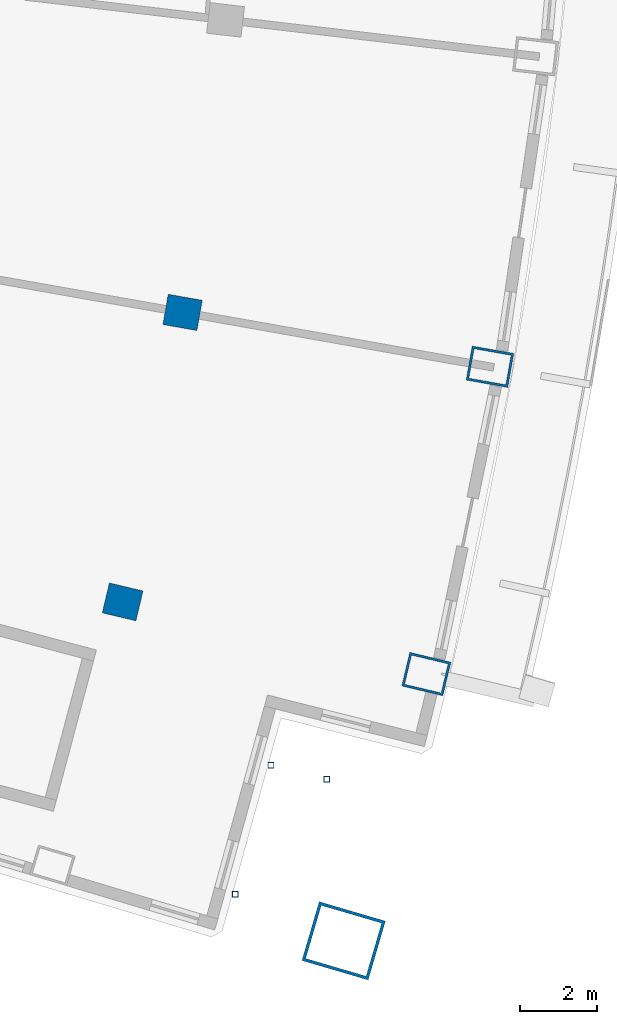
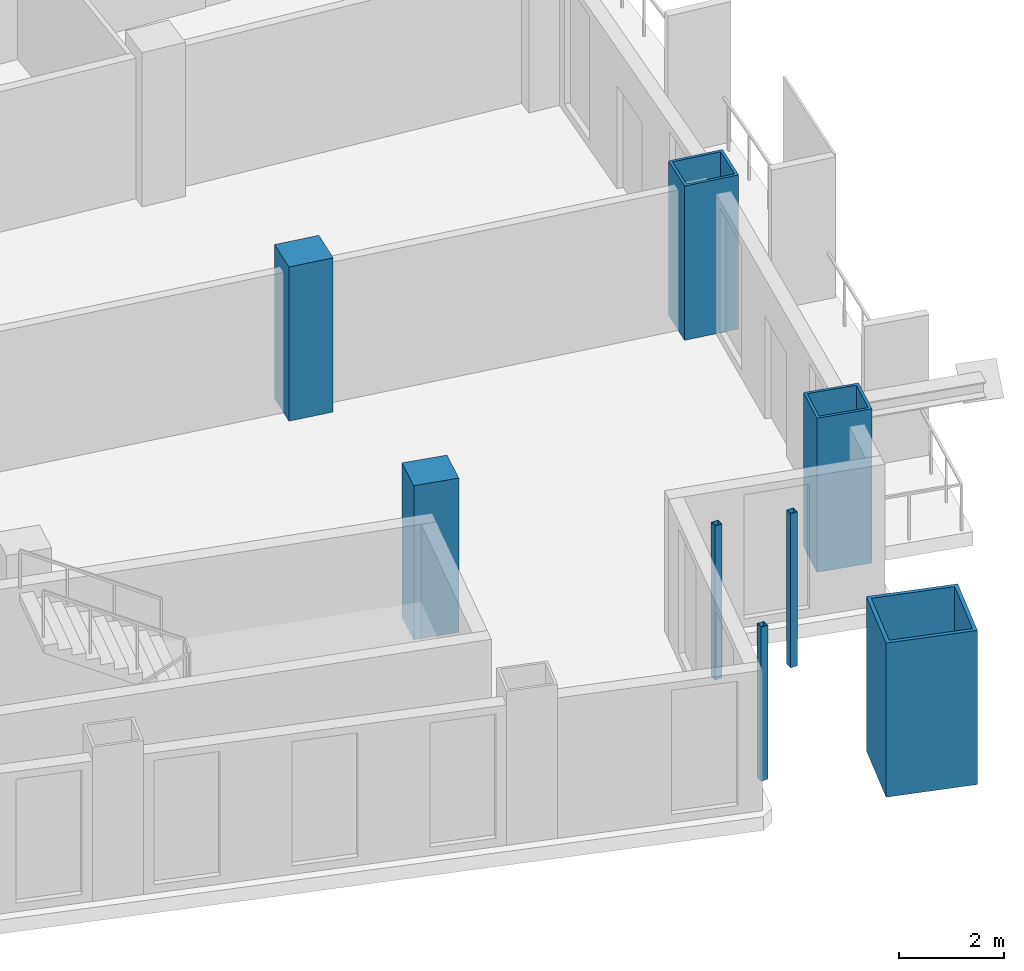
# One storey, part 3 of 21: 8 columns.
"""IFC4 building model written with IfcOpenShell, lengths in metres."""

from ifc_helpers import new_model, si_unit, direction, frame, origin, origin_2d, place, context, subcontext, project, spatial, rectangle, hollow_rectangle, extrude, material, material_profile, profile_set, type_object, element, save


model = new_model("IFC4")

# Units and contexts
model_context = context("Model", 3, precision=1e-05, world=origin(), true_north=direction((0.0, 1.0)))
body_context = subcontext(model_context, "Body", "Model", "MODEL_VIEW")
ifc_project = project(units=[si_unit("LENGTHUNIT", "METRE"), si_unit("AREAUNIT", "SQUARE_METRE"), si_unit("VOLUMEUNIT", "CUBIC_METRE"), si_unit("PLANEANGLEUNIT", "RADIAN"), si_unit("MASSUNIT", "GRAM", prefix="KILO")], contexts=[model_context])

# Site, building, storey
site_placement = place(None, origin())
site = spatial("IfcSite", under=ifc_project, at=site_placement, CompositionType="ELEMENT")
building_placement = place(site_placement, origin())
building = spatial("IfcBuilding", under=site, at=building_placement, Name="Alderwake Tower", CompositionType="ELEMENT")
storey_placement = place(building_placement, frame((0.0, 0.0, 146.0)))
storey = spatial("IfcBuildingStorey", under=building, at=storey_placement, Name="L35", CompositionType="ELEMENT", Elevation=146.0)

# Columns
ifc_material_1 = material(Name="Concrete C70/85", Category="concrete")
ifc_material_profile_1 = material_profile(ifc_material_1, rectangle(XDim=0.800048828125, YDim=0.89990234375, at=origin_2d()), Name="RC 900X800")
ifc_profile_set_1 = profile_set([ifc_material_profile_1], Name="Concrete C70/85")
column_type_1 = type_object("IfcColumnType", Name="Interior column Z3", PredefinedType="COLUMN", material=ifc_profile_set_1)
for number, where, z_axis, x_axis, name in (
    (1, (48.48779296875, 30.46337890625, 0.0), (0.0, 0.0, 1.0), (0.231221547198, 0.972901123502, 0.0), "Column R03-C4"),
    (2, (50.049560546875, 38.006103515625, 0.0), (0.0, 0.0, 1.0), (0.174108800747, 0.984726421654, 0.0), "Column R04-C4"),
):
    element("IfcColumn", number, at=place(storey_placement, frame(where, z_axis=z_axis, x_axis=x_axis)), inside=storey, type_object=column_type_1, Name=name, PredefinedType="COLUMN", context=body_context, shape_type="SweptSolid", body=[
        extrude(rectangle(XDim=0.800048828125, YDim=0.89990234375, at=origin_2d()), origin(), (0.0, 0.0, 1.0), 3.60009765625),
    ])
ifc_material_2 = material(Name="Steel ASTM A500 Grade C", Category="steel")
ifc_material_profile_2 = material_profile(ifc_material_2, hollow_rectangle(XDim=0.15234375, YDim=0.15234375, WallThickness=0.0087890625, at=origin_2d()), Name="HSS6X6X3/8")
ifc_profile_set_2 = profile_set([ifc_material_profile_2], Name="Steel ASTM A500 Grade C")
column_type_2 = type_object("IfcColumnType", Name="Light post HSS6X6X3/8", PredefinedType="COLUMN", material=ifc_profile_set_2)
for number, where, z_axis, x_axis, name in (
    (3, (53.807861328125, 25.840576171875, 0.0), (0.0, 0.0, 1.0), (1.0, 0.0, 0.0), "Terrace post FS1"),
    (4, (51.42431640625, 22.847900390625, 0.0), (0.0, 0.0, 1.0), (1.0, 0.0, 0.0), "Terrace post FS2"),
    (5, (52.353759765625, 26.208740234375, 0.0), (0.0, 0.0, 1.0), (1.0, 0.0, 0.0), "Terrace post FS3"),
):
    element("IfcColumn", number, at=place(storey_placement, frame(where, z_axis=z_axis, x_axis=x_axis)), inside=storey, type_object=column_type_2, Name=name, PredefinedType="COLUMN", context=body_context, shape_type="SweptSolid", body=[
        extrude(hollow_rectangle(XDim=0.15234375, YDim=0.15234375, WallThickness=0.0087890625, at=origin_2d()), origin(), (0.0, 0.0, 1.0), 3.60009765625),
    ])
ifc_material_3 = material(Name="Steel ASTM A572 Grade 50 concrete filled C70/85", Category="concrete")
ifc_material_profile_3 = material_profile(ifc_material_3, hollow_rectangle(XDim=1.60009765625, YDim=1.800048828125, WallThickness=0.080078125, at=origin_2d()), Name="BOX 1800X1600X80")
ifc_profile_set_3 = profile_set([ifc_material_profile_3], Name="Steel ASTM A572 Grade 50 concrete filled C70/85")
column_type_3 = type_object("IfcColumnType", Name="Mega column Z3", PredefinedType="COLUMN", material=ifc_profile_set_3)
column_placement = place(storey_placement, frame((54.246826171875, 21.6328125, 0.0), z_axis=(0.0, 0.0, 1.0), x_axis=(0.281395329631, 0.959591928093, 0.0)))
element("IfcColumn", 6, at=column_placement, inside=storey, type_object=column_type_3, Name="Column R02-C5", PredefinedType="COLUMN", context=body_context, shape_type="SweptSolid", body=[
    extrude(hollow_rectangle(XDim=1.60009765625, YDim=1.800048828125, WallThickness=0.080078125, at=origin_2d()), origin(), (0.0, 0.0, 1.0), 3.60009765625),
])
ifc_material_4 = material(Name="Steel ASTM A572 Grade 50 concrete filled C70/85", Category="concrete")
ifc_material_profile_4 = material_profile(ifc_material_4, hollow_rectangle(XDim=0.89990234375, YDim=1.10009765625, WallThickness=0.06005859375, at=origin_2d()), Name="BOX 1100X900X60")
ifc_profile_set_4 = profile_set([ifc_material_profile_4], Name="Steel ASTM A572 Grade 50 concrete filled C70/85")
column_type_4 = type_object("IfcColumnType", Name="Perimeter column Z3", PredefinedType="COLUMN", material=ifc_profile_set_4)
for number, where, z_axis, x_axis, name in (
    (7, (56.400634765625, 28.582763671875, 0.0), (0.0, 0.0, 1.0), (0.231221547198, 0.972901123502, 0.0), "Column R03-C5"),
    (8, (58.05859375, 36.590087890625, 0.0), (0.0, 0.0, 1.0), (0.174108800747, 0.984726421654, 0.0), "Column R04-C5"),
):
    element("IfcColumn", number, at=place(storey_placement, frame(where, z_axis=z_axis, x_axis=x_axis)), inside=storey, type_object=column_type_4, Name=name, PredefinedType="COLUMN", context=body_context, shape_type="SweptSolid", body=[
        extrude(hollow_rectangle(XDim=0.89990234375, YDim=1.10009765625, WallThickness=0.06005859375, at=origin_2d()), origin(), (0.0, 0.0, 1.0), 3.60009765625),
    ])

save(model, "model.ifc")
